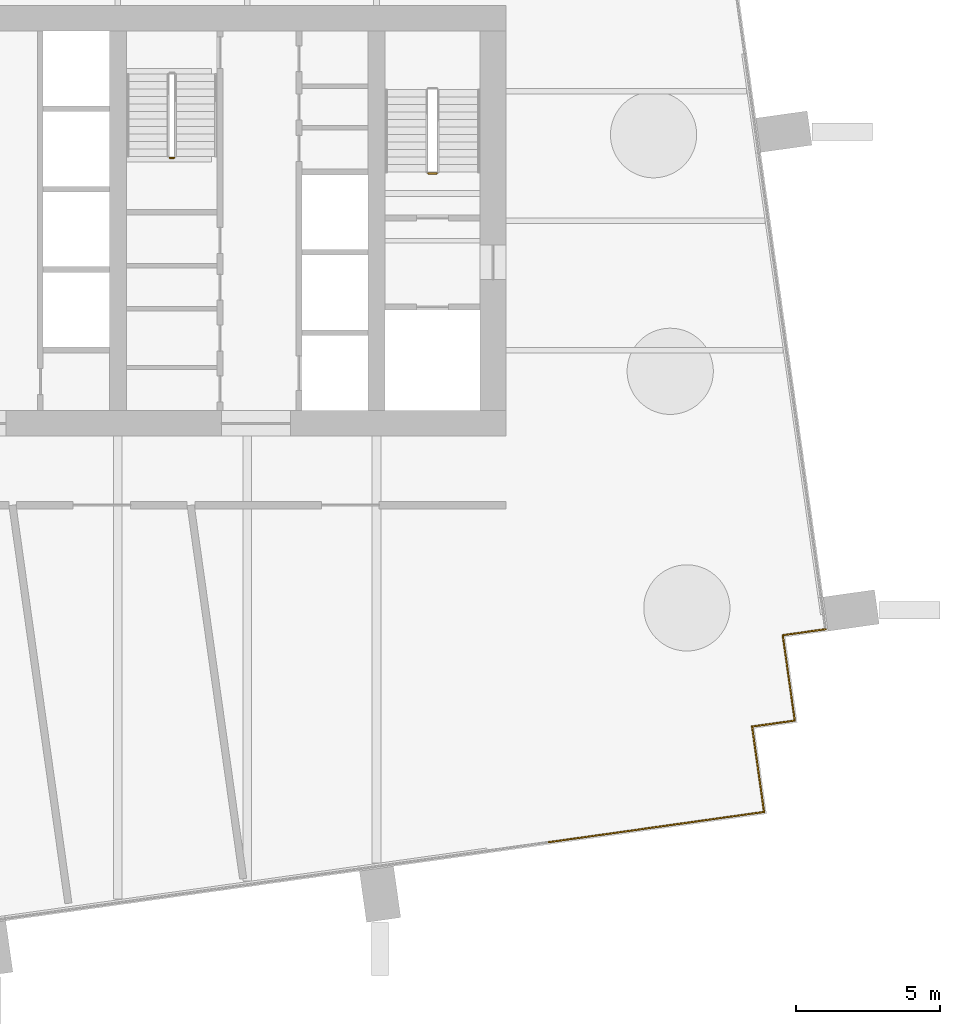
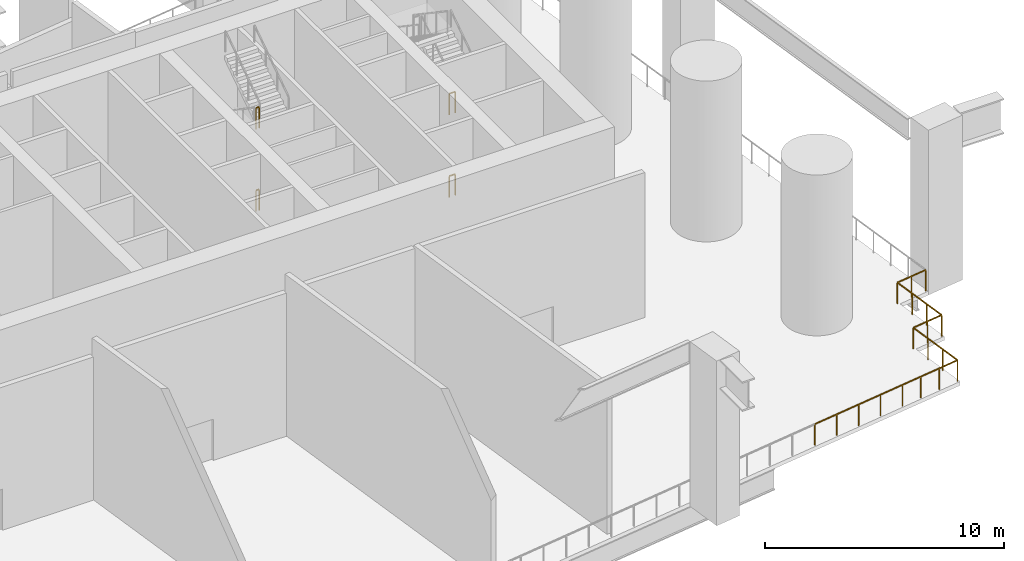
# One storey, part 8 of 13: 9 railings.
"""IFC4 building model written with IfcOpenShell, lengths in metres."""

from ifc_helpers import new_model, si_unit, direction, frame, origin, origin_2d, place, context, subcontext, project, spatial, rectangle, extrude, material, type_object, element, save


model = new_model("IFC4")

# Units and contexts
model_context = context("Model", 3, precision=1e-05, world=origin(), true_north=direction((0.0, 1.0)))
body_context = subcontext(model_context, "Body", "Model", "MODEL_VIEW")
ifc_project = project(units=[si_unit("LENGTHUNIT", "METRE"), si_unit("AREAUNIT", "SQUARE_METRE"), si_unit("VOLUMEUNIT", "CUBIC_METRE"), si_unit("PLANEANGLEUNIT", "RADIAN"), si_unit("MASSUNIT", "GRAM", prefix="KILO")], contexts=[model_context])

# Site, building, storey
site_placement = place(None, origin())
site = spatial("IfcSite", under=ifc_project, at=site_placement, CompositionType="ELEMENT")
building_placement = place(site_placement, origin())
building = spatial("IfcBuilding", under=site, at=building_placement, Name="Rattan Terrace Tower", CompositionType="ELEMENT")
storey_placement = place(building_placement, frame((0.0, 0.0, 199.699951171875)))
storey = spatial("IfcBuildingStorey", under=building, at=storey_placement, Name="L46", CompositionType="ELEMENT", Elevation=199.699951171875)

# Railings
ifc_material_1 = material(Name="Powder-coated steel guard", Category="steel")
railing_type_1 = type_object("IfcRailingType", Name="Core stair guard", PredefinedType="GUARDRAIL", material=ifc_material_1)
for number, where, name in (
    (1, (15.60009765625, 1.64990234375, 4.199951171875), "L46 S2 stair guard 4"),
    (2, (15.60009765625, 1.64990234375, 0.0), "L46 S2 stair guard 8"),
):
    element("IfcRailing", number, at=place(storey_placement, frame(where)), inside=storey, type_object=railing_type_1, Name=name, PredefinedType="GUARDRAIL", context=body_context, shape_type="SweptSolid", body=[
        extrude(rectangle(XDim=0.048095703125, YDim=0.048095703125, at=origin_2d()), frame((0.0, 0.0, 1.076171875), z_axis=(-1.0, 0.0, 0.0), x_axis=(0.0, -1.0, 0.0)), (0.0, 0.0, 1.0), 0.300048828125),
        extrude(rectangle(XDim=0.0419921875, YDim=0.0419921875, at=origin_2d()), origin(), (0.0, 0.0, 1.0), 1.052001953125),
        extrude(rectangle(XDim=0.0419921875, YDim=0.0419921875, at=origin_2d()), frame((-0.300048828125, 0.0, 0.0)), (0.0, 0.0, 1.0), 1.052001953125),
    ])
for number, where, name in (
    (3, (6.300048828125, 2.18994140625, 2.10009765625), "L46 S3 stair guard 2"),
    (4, (6.300048828125, 2.18994140625, 6.300048828125), "L46 S3 stair guard 6"),
):
    element("IfcRailing", number, at=place(storey_placement, frame(where)), inside=storey, type_object=railing_type_1, Name=name, PredefinedType="GUARDRAIL", context=body_context, shape_type="SweptSolid", body=[
        extrude(rectangle(XDim=0.048095703125, YDim=0.048095703125, at=origin_2d()), frame((0.0, 0.0, 1.076171875), z_axis=(1.0, 0.0, 0.0), x_axis=(0.0, 1.0, 0.0)), (0.0, 0.0, 1.0), 0.14990234375),
        extrude(rectangle(XDim=0.0419921875, YDim=0.0419921875, at=origin_2d()), origin(), (0.0, 0.0, 1.0), 1.052001953125),
        extrude(rectangle(XDim=0.0419921875, YDim=0.0419921875, at=origin_2d()), frame((0.14990234375, 0.0, 0.0)), (0.0, 0.0, 1.0), 1.052001953125),
    ])
ifc_material_2 = material(Name="Stainless steel 316", Category="steel")
railing_type_2 = type_object("IfcRailingType", Name="Facade Guard 1100", PredefinedType="GUARDRAIL", material=ifc_material_2)
railing_1_placement = place(storey_placement, frame((29.1259765625, -14.216064453125, 0.0)))
element("IfcRailing", 5, at=railing_1_placement, inside=storey, type_object=railing_type_2, Name="Slot guard L46-1-7", PredefinedType="GUARDRAIL", context=body_context, shape_type="SweptSolid", body=[
    extrude(rectangle(XDim=0.048095703125, YDim=0.048095703125, at=origin_2d()), frame((0.0, 0.0, 1.076171875), z_axis=(-0.990256228307, -0.13925732404, 0.0), x_axis=(0.13925732404, -0.990256228307, 0.0)), (0.0, 0.0, 1.0), 1.500732421875),
    extrude(rectangle(XDim=0.0419921875, YDim=0.0419921875, at=origin_2d()), origin(), (0.0, 0.0, 1.0), 1.052001953125),
    extrude(rectangle(XDim=0.0419921875, YDim=0.0419921875, at=origin_2d()), frame((-0.7431640625, -0.1044921875, 0.0)), (0.0, 0.0, 1.0), 1.052001953125),
])
railing_2_placement = place(storey_placement, frame((27.639892578125, -14.425048828125, 0.0)))
element("IfcRailing", 6, at=railing_2_placement, inside=storey, type_object=railing_type_2, Name="Slot guard L46-1-8", PredefinedType="GUARDRAIL", context=body_context, shape_type="SweptSolid", body=[
    extrude(rectangle(XDim=0.048095703125, YDim=0.048095703125, at=origin_2d()), frame((0.0, 0.0, 1.076171875), z_axis=(0.139393225799, -0.990237107263, 0.0), x_axis=(0.990237107263, 0.139393225799, 0.0)), (0.0, 0.0, 1.0), 3.000244140625),
    extrude(rectangle(XDim=0.0419921875, YDim=0.0419921875, at=origin_2d()), origin(), (0.0, 0.0, 1.0), 1.052001953125),
    extrude(rectangle(XDim=0.0419921875, YDim=0.0419921875, at=origin_2d()), frame((0.139404296875, -0.990234375, 0.0)), (0.0, 0.0, 1.0), 1.052001953125),
    extrude(rectangle(XDim=0.0419921875, YDim=0.0419921875, at=origin_2d()), frame((0.27880859375, -1.980712890625, 0.0)), (0.0, 0.0, 1.0), 1.052001953125),
])
railing_3_placement = place(storey_placement, frame((28.05810546875, -17.39599609375, 0.0)))
element("IfcRailing", 7, at=railing_3_placement, inside=storey, type_object=railing_type_2, Name="Slot guard L46-1-9", PredefinedType="GUARDRAIL", context=body_context, shape_type="SweptSolid", body=[
    extrude(rectangle(XDim=0.048095703125, YDim=0.048095703125, at=origin_2d()), frame((0.0, 0.0, 1.076171875), z_axis=(-0.990345767445, -0.138619121712, 0.0), x_axis=(0.138619121712, -0.990345767445, 0.0)), (0.0, 0.0, 1.0), 1.50048828125),
    extrude(rectangle(XDim=0.0419921875, YDim=0.0419921875, at=origin_2d()), origin(), (0.0, 0.0, 1.0), 1.052001953125),
    extrude(rectangle(XDim=0.0419921875, YDim=0.0419921875, at=origin_2d()), frame((-0.7431640625, -0.10400390625, 0.0)), (0.0, 0.0, 1.0), 1.052001953125),
])
railing_4_placement = place(storey_placement, frame((26.572021484375, -17.60400390625, 0.0)))
element("IfcRailing", 8, at=railing_4_placement, inside=storey, type_object=railing_type_2, Name="Slot guard L46-1-10", PredefinedType="GUARDRAIL", context=body_context, shape_type="SweptSolid", body=[
    extrude(rectangle(XDim=0.048095703125, YDim=0.048095703125, at=origin_2d()), frame((0.0, 0.0, 1.076171875), z_axis=(0.139313431826, -0.990248336385, 0.0), x_axis=(0.990248336385, 0.139313431826, 0.0)), (0.0, 0.0, 1.0), 3.000244140625),
    extrude(rectangle(XDim=0.0419921875, YDim=0.0419921875, at=origin_2d()), origin(), (0.0, 0.0, 1.0), 1.052001953125),
    extrude(rectangle(XDim=0.0419921875, YDim=0.0419921875, at=origin_2d()), frame((0.139404296875, -0.990234375, 0.0)), (0.0, 0.0, 1.0), 1.052001953125),
    extrude(rectangle(XDim=0.0419921875, YDim=0.0419921875, at=origin_2d()), frame((0.278564453125, -1.980712890625, 0.0)), (0.0, 0.0, 1.0), 1.052001953125),
])
railing_5_placement = place(storey_placement, frame((26.989990234375, -20.574951171875, 0.0)))
element("IfcRailing", 9, at=railing_5_placement, inside=storey, type_object=railing_type_2, Name="Slot guard L46-1-11", PredefinedType="GUARDRAIL", context=body_context, shape_type="SweptSolid", body=[
    extrude(rectangle(XDim=0.048095703125, YDim=0.048095703125, at=origin_2d()), frame((0.0, 0.0, 1.076171875), z_axis=(-0.990243245844, -0.139349610908, 0.0), x_axis=(0.139349610908, -0.990243245844, 0.0)), (0.0, 0.0, 1.0), 2.920654296875),
    extrude(rectangle(XDim=0.048095703125, YDim=0.048095703125, at=origin_2d()), frame((-2.89208984375, -0.406982421875, 1.076171875), z_axis=(-0.990273905426, -0.139131564475, 0.0), x_axis=(0.139131564475, -0.990273905426, 0.0)), (0.0, 0.0, 1.0), 4.64306640625),
    extrude(rectangle(XDim=0.0419921875, YDim=0.0419921875, at=origin_2d()), origin(), (0.0, 0.0, 1.0), 1.052001953125),
    extrude(rectangle(XDim=0.0419921875, YDim=0.0419921875, at=origin_2d()), frame((-0.964111328125, -0.1357421875, 0.0)), (0.0, 0.0, 1.0), 1.052001953125),
    extrude(rectangle(XDim=0.0419921875, YDim=0.0419921875, at=origin_2d()), frame((-1.927978515625, -0.271240234375, 0.0)), (0.0, 0.0, 1.0), 1.052001953125),
    extrude(rectangle(XDim=0.0419921875, YDim=0.0419921875, at=origin_2d()), frame((-2.89208984375, -0.406982421875, 0.0)), (0.0, 0.0, 1.0), 1.052001953125),
    extrude(rectangle(XDim=0.0419921875, YDim=0.0419921875, at=origin_2d()), frame((-4.04150390625, -0.568359375, 0.0)), (0.0, 0.0, 1.0), 1.052001953125),
    extrude(rectangle(XDim=0.0419921875, YDim=0.0419921875, at=origin_2d()), frame((-5.19091796875, -0.72998046875, 0.0)), (0.0, 0.0, 1.0), 1.052001953125),
    extrude(rectangle(XDim=0.0419921875, YDim=0.0419921875, at=origin_2d()), frame((-6.340576171875, -0.8916015625, 0.0)), (0.0, 0.0, 1.0), 1.052001953125),
    extrude(rectangle(XDim=0.0419921875, YDim=0.0419921875, at=origin_2d()), frame((-7.489990234375, -1.052978515625, 0.0)), (0.0, 0.0, 1.0), 1.052001953125),
])

save(model, "model.ifc")
